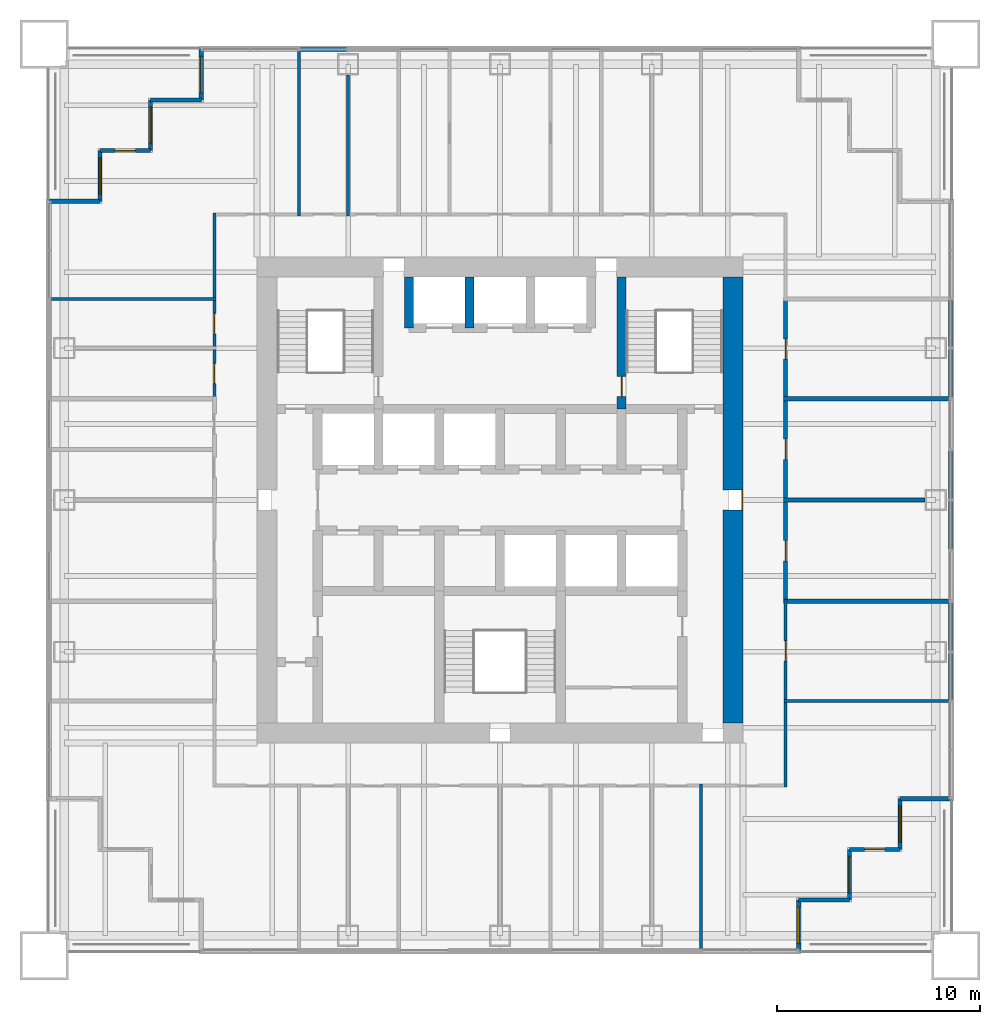
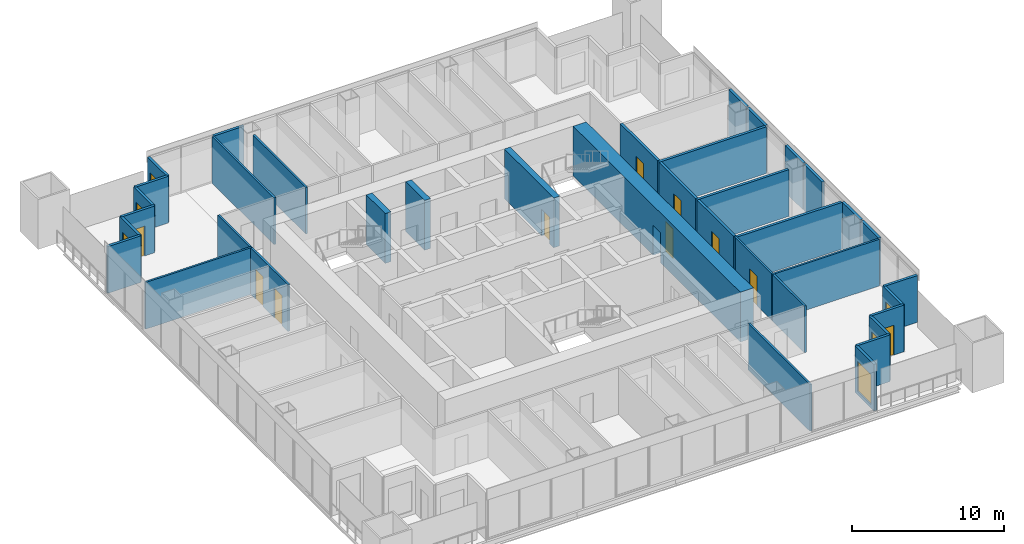
# One storey, part 10 of 14: 34 walls, 10 doors, 6 windows, 16 openings.
"""IFC4 building model written with IfcOpenShell, lengths in metres."""

from ifc_helpers import new_model, si_unit, direction, frame, frame_2d, origin, place, context, subcontext, project, spatial, rectangle, extrude, material, layer, layer_set, type_object, element, fill, save


model = new_model("IFC4")

# Units and contexts
model_context = context("Model", 3, precision=1e-05, world=origin(), true_north=direction((0.0, 1.0)))
body_context = subcontext(model_context, "Body", "Model", "MODEL_VIEW")
ifc_project = project(units=[si_unit("LENGTHUNIT", "METRE"), si_unit("AREAUNIT", "SQUARE_METRE"), si_unit("VOLUMEUNIT", "CUBIC_METRE"), si_unit("PLANEANGLEUNIT", "RADIAN"), si_unit("MASSUNIT", "GRAM", prefix="KILO")], contexts=[model_context])

# Site, building, storey
site_placement = place(None, origin())
site = spatial("IfcSite", under=ifc_project, at=site_placement, CompositionType="ELEMENT")
building_placement = place(site_placement, origin())
building = spatial("IfcBuilding", under=site, at=building_placement, Name="Tarangal Relay Tower", CompositionType="ELEMENT")
storey_placement = place(building_placement, frame((0.0, 0.0, 249.89990234375)))
storey = spatial("IfcBuildingStorey", under=building, at=storey_placement, Name="L54", CompositionType="ELEMENT", Elevation=249.89990234375)

# Walls
ifc_material_1 = material(Name="Two layers gypsum board each side on twin steel studs, mineral wool", Category="steel")
ifc_layer_1 = layer(ifc_material_1, 0.199951171875)
ifc_layer_set_1 = layer_set([ifc_layer_1], Name="Acoustic partition 200")
wall_type_1 = type_object("IfcWallType", Name="Acoustic partition 200", PredefinedType="PARTITIONING", material=ifc_layer_set_1)
wall_1_placement = place(storey_placement, frame((14.0, -5.0, 0.0), z_axis=(0.0, 0.0, 1.0), x_axis=(1.0, 0.0, 0.0)))
element("IfcWall", 1, at=wall_1_placement, inside=storey, type_object=wall_type_1, Name="Partition PT2 L54", PredefinedType="PARTITIONING", context=body_context, shape_type="SweptSolid", body=[
    extrude(rectangle(XDim=8.14990234375, YDim=0.199951171875, at=frame_2d((4.074951171875, 0.0))), origin(), (0.0, 0.0, 1.0), 3.75),
])
wall_2_placement = place(storey_placement, frame((14.0, 0.0, 0.0), z_axis=(0.0, 0.0, 1.0), x_axis=(1.0, 0.0, 0.0)))
element("IfcWall", 2, at=wall_2_placement, inside=storey, type_object=wall_type_1, Name="Partition PT2 L54", PredefinedType="PARTITIONING", context=body_context, shape_type="SweptSolid", body=[
    extrude(rectangle(XDim=6.989990234375, YDim=0.199951171875, at=frame_2d((3.4951171875, 0.0))), origin(), (0.0, 0.0, 1.0), 3.75),
])
wall_3_placement = place(storey_placement, frame((14.0, 5.0, 0.0), z_axis=(0.0, 0.0, 1.0), x_axis=(1.0, 0.0, 0.0)))
element("IfcWall", 3, at=wall_3_placement, inside=storey, type_object=wall_type_1, Name="Partition PT2 L54", PredefinedType="PARTITIONING", context=body_context, shape_type="SweptSolid", body=[
    extrude(rectangle(XDim=8.14990234375, YDim=0.199951171875, at=frame_2d((4.074951171875, 0.0))), origin(), (0.0, 0.0, 1.0), 3.75),
])

# Wall, openings, doors
wall_4_placement = place(storey_placement, frame((14.10009765625, -5.10009765625, 0.0), z_axis=(0.0, 0.0, 1.0), x_axis=(0.0, 1.0, 0.0)))
wall_4 = element("IfcWall", 4, at=wall_4_placement, inside=storey, type_object=wall_type_1, Name="Partition PT2 L54", PredefinedType="PARTITIONING", context=body_context, shape_type="SweptSolid", body=[
    extrude(rectangle(XDim=15.1171875, YDim=0.199951171875, at=frame_2d((7.55859375, 0.0))), origin(), (0.0, 0.0, 1.0), 3.75),
])
opening_1_placement = place(wall_4_placement, frame((12.05859375, 0.0, 0.0)))
opening_1 = element("IfcOpeningElement", 5, at=opening_1_placement, cuts=wall_4, Name="Opening SD1", PredefinedType="OPENING", context=body_context, shape_type="SweptSolid", body=[
    extrude(rectangle(XDim=1.0, YDim=2.39990234375, at=frame_2d((0.5, 1.199951171875))), frame((0.0, 0.10986328125, 0.0), z_axis=(0.0, -1.0, 0.0), x_axis=(1.0, 0.0, 0.0)), (0.0, 0.0, 1.0), 0.219970703125),
])
opening_2_placement = place(wall_4_placement, frame((7.10009765625, 0.0, 0.0)))
opening_2 = element("IfcOpeningElement", 6, at=opening_2_placement, cuts=wall_4, Name="Opening SD1", PredefinedType="OPENING", context=body_context, shape_type="SweptSolid", body=[
    extrude(rectangle(XDim=1.0, YDim=2.39990234375, at=frame_2d((0.5, 1.199951171875))), frame((0.0, 0.10986328125, 0.0), z_axis=(0.0, -1.0, 0.0), x_axis=(1.0, 0.0, 0.0)), (0.0, 0.0, 1.0), 0.219970703125),
])
opening_3_placement = place(wall_4_placement, frame((2.10009765625, 0.0, 0.0)))
opening_3 = element("IfcOpeningElement", 7, at=opening_3_placement, cuts=wall_4, Name="Opening SD1", PredefinedType="OPENING", context=body_context, shape_type="SweptSolid", body=[
    extrude(rectangle(XDim=1.0, YDim=2.39990234375, at=frame_2d((0.5, 1.199951171875))), frame((0.0, 0.10986328125, 0.0), z_axis=(0.0, -1.0, 0.0), x_axis=(1.0, 0.0, 0.0)), (0.0, 0.0, 1.0), 0.219970703125),
])
ifc_material_2 = material(Name="Steel door with hardwood frame", Category="steel")
door_type_1 = type_object("IfcDoorType", Name="Suite entrance door 1000 x 2400", OperationType="SINGLE_SWING_RIGHT", PredefinedType="DOOR", material=ifc_material_2)
door_1_placement = place(opening_1_placement, origin())
door_1 = element("IfcDoor", 8, at=door_1_placement, inside=storey, type_object=door_type_1, Name="Door SD1 to boardroom L54-09", OperationType="SINGLE_SWING_RIGHT", OverallHeight=2.39990234375, OverallWidth=1.0, PredefinedType="DOOR", context=body_context, shape_type="SweptSolid", body=[
    extrude(rectangle(XDim=1.0, YDim=2.39990234375, at=frame_2d((0.5, 1.199951171875))), frame((0.0, 0.02490234375, 0.0), z_axis=(0.0, -1.0, 0.0), x_axis=(1.0, 0.0, 0.0)), (0.0, 0.0, 1.0), 0.050048828125),
])
fill(opening_1, door_1)
door_2_placement = place(opening_2_placement, origin())
door_2 = element("IfcDoor", 9, at=door_2_placement, inside=storey, type_object=door_type_1, Name="Door SD1 to meeting room L54-10", OperationType="SINGLE_SWING_RIGHT", OverallHeight=2.39990234375, OverallWidth=1.0, PredefinedType="DOOR", context=body_context, shape_type="SweptSolid", body=[
    extrude(rectangle(XDim=1.0, YDim=2.39990234375, at=frame_2d((0.5, 1.199951171875))), frame((0.0, 0.02490234375, 0.0), z_axis=(0.0, -1.0, 0.0), x_axis=(1.0, 0.0, 0.0)), (0.0, 0.0, 1.0), 0.050048828125),
])
fill(opening_2, door_2)
door_3_placement = place(opening_3_placement, origin())
door_3 = element("IfcDoor", 10, at=door_3_placement, inside=storey, type_object=door_type_1, Name="Door SD1 to meeting room L54-11", OperationType="SINGLE_SWING_RIGHT", OverallHeight=2.39990234375, OverallWidth=1.0, PredefinedType="DOOR", context=body_context, shape_type="SweptSolid", body=[
    extrude(rectangle(XDim=1.0, YDim=2.39990234375, at=frame_2d((0.5, 1.199951171875))), frame((0.0, 0.02490234375, 0.0), z_axis=(0.0, -1.0, 0.0), x_axis=(1.0, 0.0, 0.0)), (0.0, 0.0, 1.0), 0.050048828125),
])
fill(opening_3, door_3)

# Wall, opening, door
ifc_material_3 = material(Name="Concrete fc' 60 MPa", Category="concrete")
ifc_layer_2 = layer(ifc_material_3, 0.449951171875)
ifc_layer_set_2 = layer_set([ifc_layer_2], Name="Core inner wall 450")
wall_type_2 = type_object("IfcWallType", Name="Core inner wall 450", PredefinedType="SHEAR", material=ifc_layer_set_2)
wall_5_placement = place(storey_placement, frame((6.0, 4.5, 0.0), z_axis=(0.0, 0.0, 1.0), x_axis=(0.0, 1.0, 0.0)))
wall_5 = element("IfcWall", 11, at=wall_5_placement, inside=storey, type_object=wall_type_2, Name="Core wall X6 L54", PredefinedType="SHEAR", context=body_context, shape_type="SweptSolid", body=[
    extrude(rectangle(XDim=6.5, YDim=0.449951171875, at=frame_2d((3.25, 0.0))), origin(), (0.0, 0.0, 1.0), 4.0),
])
opening_4_placement = place(wall_5_placement, frame((0.60009765625, 0.0, 0.0)))
opening_4 = element("IfcOpeningElement", 12, at=opening_4_placement, cuts=wall_5, Name="Opening FD1", PredefinedType="OPENING", context=body_context, shape_type="SweptSolid", body=[
    extrude(rectangle(XDim=1.0, YDim=2.10009765625, at=frame_2d((0.5, 1.050048828125))), frame((0.0, 0.23486328125, 0.0), z_axis=(0.0, -1.0, 0.0), x_axis=(1.0, 0.0, 0.0)), (0.0, 0.0, 1.0), 0.469970703125),
])
door_type_2 = type_object("IfcDoorType", Name="Fire door 1000 x 2100", OperationType="SINGLE_SWING_LEFT", PredefinedType="DOOR", material=ifc_material_2)
door_4_placement = place(opening_4_placement, origin())
door_4 = element("IfcDoor", 13, at=door_4_placement, inside=storey, type_object=door_type_2, Name="Stair ST-B door from fire-fighting lobby L54", OperationType="SINGLE_SWING_LEFT", OverallHeight=2.10009765625, OverallWidth=1.0, PredefinedType="DOOR", context=body_context, shape_type="SweptSolid", body=[
    extrude(rectangle(XDim=1.0, YDim=2.10009765625, at=frame_2d((0.5, 1.050048828125))), frame((0.0, 0.02490234375, 0.0), z_axis=(0.0, -1.0, 0.0), x_axis=(1.0, 0.0, 0.0)), (0.0, 0.0, 1.0), 0.050048828125),
])
fill(opening_4, door_4)

# Walls
for number, where, z_axis, x_axis, name in (
    (14, (-4.5, 8.5, 0.0), (0.0, 0.0, 1.0), (0.0, 1.0, 0.0), "Core wall XM45 L54"),
    (15, (-1.5, 8.5, 0.0), (0.0, 0.0, 1.0), (0.0, 1.0, 0.0), "Core wall XM15 L54"),
):
    element("IfcWall", number, at=place(storey_placement, frame(where, z_axis=z_axis, x_axis=x_axis)), inside=storey, type_object=wall_type_2, Name=name, PredefinedType="SHEAR", context=body_context, shape_type="SweptSolid", body=[
        extrude(rectangle(XDim=2.5, YDim=0.449951171875, at=frame_2d((1.25, 0.0))), origin(), (0.0, 0.0, 1.0), 4.0),
    ])

# Wall, opening, door
ifc_layer_3 = layer(ifc_material_3, 1.0)
ifc_layer_set_3 = layer_set([ifc_layer_3], Name="Core wall 1000")
wall_type_3 = type_object("IfcWallType", Name="Core wall 1000", PredefinedType="SHEAR", material=ifc_layer_set_3)
wall_6_placement = place(storey_placement, frame((11.5, 11.0, 0.0), z_axis=(0.0, 0.0, 1.0), x_axis=(0.0, -1.0, 0.0)))
wall_6 = element("IfcWall", 16, at=wall_6_placement, inside=storey, type_object=wall_type_3, Name="Core wall E L54", PredefinedType="SHEAR", context=body_context, shape_type="SweptSolid", body=[
    extrude(rectangle(XDim=22.0, YDim=1.0, at=frame_2d((11.0, 0.0))), origin(), (0.0, 0.0, 1.0), 4.0),
])
opening_5_placement = place(wall_6_placement, frame((10.5, 0.0, 0.0)))
opening_5 = element("IfcOpeningElement", 17, at=opening_5_placement, cuts=wall_6, Name="Opening FD3", PredefinedType="OPENING", context=body_context, shape_type="SweptSolid", body=[
    extrude(rectangle(XDim=1.0, YDim=2.39990234375, at=frame_2d((0.5, 1.199951171875))), frame((0.0, 0.510009765625, 0.0), z_axis=(0.0, -1.0, 0.0), x_axis=(1.0, 0.0, 0.0)), (0.0, 0.0, 1.0), 1.02001953125),
])
door_type_3 = type_object("IfcDoorType", Name="Fire door 1000 x 2400 core entry", OperationType="SINGLE_SWING_RIGHT", PredefinedType="DOOR", material=ifc_material_2)
door_5_placement = place(opening_5_placement, origin())
door_5 = element("IfcDoor", 18, at=door_5_placement, inside=storey, type_object=door_type_3, Name="Core entry door east L54", OperationType="SINGLE_SWING_RIGHT", OverallHeight=2.39990234375, OverallWidth=1.0, PredefinedType="DOOR", context=body_context, shape_type="SweptSolid", body=[
    extrude(rectangle(XDim=1.0, YDim=2.39990234375, at=frame_2d((0.5, 1.199951171875))), frame((0.0, 0.48486328125, 0.0), z_axis=(0.0, -1.0, 0.0), x_axis=(1.0, 0.0, 0.0)), (0.0, 0.0, 1.0), 0.050048828125),
])
fill(opening_5, door_5)

# Wall
ifc_material_4 = material(Name="Black metal clad insulated wall", Category="steel")
ifc_layer_4 = layer(ifc_material_4, 0.199951171875)
ifc_layer_set_4 = layer_set([ifc_layer_4], Name="Corner wall metal clad 200")
wall_type_4 = type_object("IfcWallType", Name="Corner wall metal clad 200", PredefinedType="SOLIDWALL", material=ifc_layer_set_4)
wall_7_placement = place(storey_placement, frame((22.25, -14.75, 0.0), z_axis=(0.0, 0.0, 1.0), x_axis=(-1.0, 0.0, 0.0)))
element("IfcWall", 19, at=wall_7_placement, inside=storey, type_object=wall_type_4, Name="Facade wall E facade L54", PredefinedType="SOLIDWALL", context=body_context, shape_type="SweptSolid", body=[
    extrude(rectangle(XDim=2.5, YDim=0.199951171875, at=frame_2d((1.25, 0.0))), origin(), (0.0, 0.0, 1.0), 3.75),
])

# Wall, opening, window
wall_8_placement = place(storey_placement, frame((19.75, -14.75, 0.0), z_axis=(0.0, 0.0, 1.0), x_axis=(0.0, -1.0, 0.0)))
wall_8 = element("IfcWall", 20, at=wall_8_placement, inside=storey, type_object=wall_type_4, Name="Facade wall E facade L54", PredefinedType="SOLIDWALL", context=body_context, shape_type="SweptSolid", body=[
    extrude(rectangle(XDim=2.5, YDim=0.199951171875, at=frame_2d((1.25, 0.0))), origin(), (0.0, 0.0, 1.0), 3.75),
])
opening_6_placement = place(wall_8_placement, frame((0.35009765625, 0.0, 0.300048828125)))
opening_6 = element("IfcOpeningElement", 21, at=opening_6_placement, cuts=wall_8, Name="Opening WN2", PredefinedType="OPENING", context=body_context, shape_type="SweptSolid", body=[
    extrude(rectangle(XDim=1.800048828125, YDim=2.39990234375, at=frame_2d((0.89990234375, 1.199951171875))), frame((0.0, 0.10986328125, 0.0), z_axis=(0.0, -1.0, 0.0), x_axis=(1.0, 0.0, 0.0)), (0.0, 0.0, 1.0), 0.219970703125),
])
ifc_material_5 = material(Name="Dark tinted double glazing in black aluminium frame", Category="aluminium")
window_type = type_object("IfcWindowType", Name="Corner window 1800 x 2400", PartitioningType="SINGLE_PANEL", PredefinedType="WINDOW", material=ifc_material_5)
window_1_placement = place(opening_6_placement, origin())
window_1 = element("IfcWindow", 22, at=window_1_placement, inside=storey, type_object=window_type, Name="Corner window WN2 E facade L54", OverallHeight=2.39990234375, OverallWidth=1.800048828125, PartitioningType="SINGLE_PANEL", PredefinedType="WINDOW", context=body_context, shape_type="SweptSolid", body=[
    extrude(rectangle(XDim=1.800048828125, YDim=2.39990234375, at=frame_2d((0.89990234375, 1.199951171875))), frame((0.0, 0.030029296875, 0.0), z_axis=(0.0, -1.0, 0.0), x_axis=(1.0, 0.0, 0.0)), (0.0, 0.0, 1.0), 0.06005859375),
])
fill(opening_6, window_1)

# Wall, opening, door
wall_9_placement = place(storey_placement, frame((19.75, -17.25, 0.0), z_axis=(0.0, 0.0, 1.0), x_axis=(-1.0, 0.0, 0.0)))
wall_9 = element("IfcWall", 23, at=wall_9_placement, inside=storey, type_object=wall_type_4, Name="Facade wall E facade L54", PredefinedType="SOLIDWALL", context=body_context, shape_type="SweptSolid", body=[
    extrude(rectangle(XDim=2.5, YDim=0.199951171875, at=frame_2d((1.25, 0.0))), origin(), (0.0, 0.0, 1.0), 3.75),
])
opening_7_placement = place(wall_9_placement, frame((0.75, 0.0, 0.0)))
opening_7 = element("IfcOpeningElement", 24, at=opening_7_placement, cuts=wall_9, Name="Opening TD1", PredefinedType="OPENING", context=body_context, shape_type="SweptSolid", body=[
    extrude(rectangle(XDim=1.0, YDim=2.39990234375, at=frame_2d((0.5, 1.199951171875))), frame((0.0, 0.10986328125, 0.0), z_axis=(0.0, -1.0, 0.0), x_axis=(1.0, 0.0, 0.0)), (0.0, 0.0, 1.0), 0.219970703125),
])
ifc_material_6 = material(Name="Aluminium glazed door", Category="aluminium")
door_type_4 = type_object("IfcDoorType", Name="Terrace door 1000 x 2400", OperationType="SINGLE_SWING_RIGHT", PredefinedType="DOOR", material=ifc_material_6)
door_6_placement = place(opening_7_placement, origin())
door_6 = element("IfcDoor", 25, at=door_6_placement, inside=storey, type_object=door_type_4, Name="Terrace door TD1 SE L54", OperationType="SINGLE_SWING_RIGHT", OverallHeight=2.39990234375, OverallWidth=1.0, PredefinedType="DOOR", context=body_context, shape_type="SweptSolid", body=[
    extrude(rectangle(XDim=1.0, YDim=2.39990234375, at=frame_2d((0.5, 1.199951171875))), frame((0.0, 0.02490234375, 0.0), z_axis=(0.0, -1.0, 0.0), x_axis=(1.0, 0.0, 0.0)), (0.0, 0.0, 1.0), 0.050048828125),
])
fill(opening_7, door_6)

# Wall, opening, window
wall_10_placement = place(storey_placement, frame((17.25, -17.25, 0.0), z_axis=(0.0, 0.0, 1.0), x_axis=(0.0, -1.0, 0.0)))
wall_10 = element("IfcWall", 26, at=wall_10_placement, inside=storey, type_object=wall_type_4, Name="Facade wall E facade L54", PredefinedType="SOLIDWALL", context=body_context, shape_type="SweptSolid", body=[
    extrude(rectangle(XDim=2.5, YDim=0.199951171875, at=frame_2d((1.25, 0.0))), origin(), (0.0, 0.0, 1.0), 3.75),
])
opening_8_placement = place(wall_10_placement, frame((0.35009765625, 0.0, 0.300048828125)))
opening_8 = element("IfcOpeningElement", 27, at=opening_8_placement, cuts=wall_10, Name="Opening WN2", PredefinedType="OPENING", context=body_context, shape_type="SweptSolid", body=[
    extrude(rectangle(XDim=1.800048828125, YDim=2.39990234375, at=frame_2d((0.89990234375, 1.199951171875))), frame((0.0, 0.10986328125, 0.0), z_axis=(0.0, -1.0, 0.0), x_axis=(1.0, 0.0, 0.0)), (0.0, 0.0, 1.0), 0.219970703125),
])
window_2_placement = place(opening_8_placement, origin())
window_2 = element("IfcWindow", 28, at=window_2_placement, inside=storey, type_object=window_type, Name="Corner window WN2 E facade L54", OverallHeight=2.39990234375, OverallWidth=1.800048828125, PartitioningType="SINGLE_PANEL", PredefinedType="WINDOW", context=body_context, shape_type="SweptSolid", body=[
    extrude(rectangle(XDim=1.800048828125, YDim=2.39990234375, at=frame_2d((0.89990234375, 1.199951171875))), frame((0.0, 0.030029296875, 0.0), z_axis=(0.0, -1.0, 0.0), x_axis=(1.0, 0.0, 0.0)), (0.0, 0.0, 1.0), 0.06005859375),
])
fill(opening_8, window_2)

# Wall
wall_11_placement = place(storey_placement, frame((17.25, -19.75, 0.0), z_axis=(0.0, 0.0, 1.0), x_axis=(-1.0, 0.0, 0.0)))
element("IfcWall", 29, at=wall_11_placement, inside=storey, type_object=wall_type_4, Name="Facade wall E facade L54", PredefinedType="SOLIDWALL", context=body_context, shape_type="SweptSolid", body=[
    extrude(rectangle(XDim=2.5, YDim=0.199951171875, at=frame_2d((1.25, 0.0))), origin(), (0.0, 0.0, 1.0), 3.75),
])

# Wall, opening, window
wall_12_placement = place(storey_placement, frame((14.75, -19.75, 0.0), z_axis=(0.0, 0.0, 1.0), x_axis=(0.0, -1.0, 0.0)))
wall_12 = element("IfcWall", 30, at=wall_12_placement, inside=storey, type_object=wall_type_4, Name="Facade wall E facade L54", PredefinedType="SOLIDWALL", context=body_context, shape_type="SweptSolid", body=[
    extrude(rectangle(XDim=2.5, YDim=0.199951171875, at=frame_2d((1.25, 0.0))), origin(), (0.0, 0.0, 1.0), 3.75),
])
opening_9_placement = place(wall_12_placement, frame((0.35009765625, 0.0, 0.300048828125)))
opening_9 = element("IfcOpeningElement", 31, at=opening_9_placement, cuts=wall_12, Name="Opening WN2", PredefinedType="OPENING", context=body_context, shape_type="SweptSolid", body=[
    extrude(rectangle(XDim=1.800048828125, YDim=2.39990234375, at=frame_2d((0.89990234375, 1.199951171875))), frame((0.0, 0.10986328125, 0.0), z_axis=(0.0, -1.0, 0.0), x_axis=(1.0, 0.0, 0.0)), (0.0, 0.0, 1.0), 0.219970703125),
])
window_3_placement = place(opening_9_placement, origin())
window_3 = element("IfcWindow", 32, at=window_3_placement, inside=storey, type_object=window_type, Name="Corner window WN2 E facade L54", OverallHeight=2.39990234375, OverallWidth=1.800048828125, PartitioningType="SINGLE_PANEL", PredefinedType="WINDOW", context=body_context, shape_type="SweptSolid", body=[
    extrude(rectangle(XDim=1.800048828125, YDim=2.39990234375, at=frame_2d((0.89990234375, 1.199951171875))), frame((0.0, 0.030029296875, 0.0), z_axis=(0.0, -1.0, 0.0), x_axis=(1.0, 0.0, 0.0)), (0.0, 0.0, 1.0), 0.06005859375),
])
fill(opening_9, window_3)

# Wall
wall_13_placement = place(storey_placement, frame((-22.25, 14.75, 0.0), z_axis=(0.0, 0.0, 1.0), x_axis=(1.0, 0.0, 0.0)))
element("IfcWall", 33, at=wall_13_placement, inside=storey, type_object=wall_type_4, Name="Facade wall W facade L54", PredefinedType="SOLIDWALL", context=body_context, shape_type="SweptSolid", body=[
    extrude(rectangle(XDim=2.5, YDim=0.199951171875, at=frame_2d((1.25, 0.0))), origin(), (0.0, 0.0, 1.0), 3.75),
])

# Wall, opening, window
wall_14_placement = place(storey_placement, frame((-19.75, 14.75, 0.0), z_axis=(0.0, 0.0, 1.0), x_axis=(0.0, 1.0, 0.0)))
wall_14 = element("IfcWall", 34, at=wall_14_placement, inside=storey, type_object=wall_type_4, Name="Facade wall W facade L54", PredefinedType="SOLIDWALL", context=body_context, shape_type="SweptSolid", body=[
    extrude(rectangle(XDim=2.5, YDim=0.199951171875, at=frame_2d((1.25, 0.0))), origin(), (0.0, 0.0, 1.0), 3.75),
])
opening_10_placement = place(wall_14_placement, frame((0.35009765625, 0.0, 0.300048828125)))
opening_10 = element("IfcOpeningElement", 35, at=opening_10_placement, cuts=wall_14, Name="Opening WN2", PredefinedType="OPENING", context=body_context, shape_type="SweptSolid", body=[
    extrude(rectangle(XDim=1.800048828125, YDim=2.39990234375, at=frame_2d((0.89990234375, 1.199951171875))), frame((0.0, 0.10986328125, 0.0), z_axis=(0.0, -1.0, 0.0), x_axis=(1.0, 0.0, 0.0)), (0.0, 0.0, 1.0), 0.219970703125),
])
window_4_placement = place(opening_10_placement, origin())
window_4 = element("IfcWindow", 36, at=window_4_placement, inside=storey, type_object=window_type, Name="Corner window WN2 W facade L54", OverallHeight=2.39990234375, OverallWidth=1.800048828125, PartitioningType="SINGLE_PANEL", PredefinedType="WINDOW", context=body_context, shape_type="SweptSolid", body=[
    extrude(rectangle(XDim=1.800048828125, YDim=2.39990234375, at=frame_2d((0.89990234375, 1.199951171875))), frame((0.0, 0.030029296875, 0.0), z_axis=(0.0, -1.0, 0.0), x_axis=(1.0, 0.0, 0.0)), (0.0, 0.0, 1.0), 0.06005859375),
])
fill(opening_10, window_4)

# Wall, opening, door
wall_15_placement = place(storey_placement, frame((-19.75, 17.25, 0.0), z_axis=(0.0, 0.0, 1.0), x_axis=(1.0, 0.0, 0.0)))
wall_15 = element("IfcWall", 37, at=wall_15_placement, inside=storey, type_object=wall_type_4, Name="Facade wall W facade L54", PredefinedType="SOLIDWALL", context=body_context, shape_type="SweptSolid", body=[
    extrude(rectangle(XDim=2.5, YDim=0.199951171875, at=frame_2d((1.25, 0.0))), origin(), (0.0, 0.0, 1.0), 3.75),
])
opening_11_placement = place(wall_15_placement, frame((0.75, 0.0, 0.0)))
opening_11 = element("IfcOpeningElement", 38, at=opening_11_placement, cuts=wall_15, Name="Opening TD1", PredefinedType="OPENING", context=body_context, shape_type="SweptSolid", body=[
    extrude(rectangle(XDim=1.0, YDim=2.39990234375, at=frame_2d((0.5, 1.199951171875))), frame((0.0, 0.10986328125, 0.0), z_axis=(0.0, -1.0, 0.0), x_axis=(1.0, 0.0, 0.0)), (0.0, 0.0, 1.0), 0.219970703125),
])
door_7_placement = place(opening_11_placement, origin())
door_7 = element("IfcDoor", 39, at=door_7_placement, inside=storey, type_object=door_type_4, Name="Terrace door TD1 NW L54", OperationType="SINGLE_SWING_RIGHT", OverallHeight=2.39990234375, OverallWidth=1.0, PredefinedType="DOOR", context=body_context, shape_type="SweptSolid", body=[
    extrude(rectangle(XDim=1.0, YDim=2.39990234375, at=frame_2d((0.5, 1.199951171875))), frame((0.0, 0.02490234375, 0.0), z_axis=(0.0, -1.0, 0.0), x_axis=(1.0, 0.0, 0.0)), (0.0, 0.0, 1.0), 0.050048828125),
])
fill(opening_11, door_7)

# Wall, opening, window
wall_16_placement = place(storey_placement, frame((-17.25, 17.25, 0.0), z_axis=(0.0, 0.0, 1.0), x_axis=(0.0, 1.0, 0.0)))
wall_16 = element("IfcWall", 40, at=wall_16_placement, inside=storey, type_object=wall_type_4, Name="Facade wall W facade L54", PredefinedType="SOLIDWALL", context=body_context, shape_type="SweptSolid", body=[
    extrude(rectangle(XDim=2.5, YDim=0.199951171875, at=frame_2d((1.25, 0.0))), origin(), (0.0, 0.0, 1.0), 3.75),
])
opening_12_placement = place(wall_16_placement, frame((0.35009765625, 0.0, 0.300048828125)))
opening_12 = element("IfcOpeningElement", 41, at=opening_12_placement, cuts=wall_16, Name="Opening WN2", PredefinedType="OPENING", context=body_context, shape_type="SweptSolid", body=[
    extrude(rectangle(XDim=1.800048828125, YDim=2.39990234375, at=frame_2d((0.89990234375, 1.199951171875))), frame((0.0, 0.10986328125, 0.0), z_axis=(0.0, -1.0, 0.0), x_axis=(1.0, 0.0, 0.0)), (0.0, 0.0, 1.0), 0.219970703125),
])
window_5_placement = place(opening_12_placement, origin())
window_5 = element("IfcWindow", 42, at=window_5_placement, inside=storey, type_object=window_type, Name="Corner window WN2 W facade L54", OverallHeight=2.39990234375, OverallWidth=1.800048828125, PartitioningType="SINGLE_PANEL", PredefinedType="WINDOW", context=body_context, shape_type="SweptSolid", body=[
    extrude(rectangle(XDim=1.800048828125, YDim=2.39990234375, at=frame_2d((0.89990234375, 1.199951171875))), frame((0.0, 0.030029296875, 0.0), z_axis=(0.0, -1.0, 0.0), x_axis=(1.0, 0.0, 0.0)), (0.0, 0.0, 1.0), 0.06005859375),
])
fill(opening_12, window_5)

# Wall
wall_17_placement = place(storey_placement, frame((-17.25, 19.75, 0.0), z_axis=(0.0, 0.0, 1.0), x_axis=(1.0, 0.0, 0.0)))
element("IfcWall", 43, at=wall_17_placement, inside=storey, type_object=wall_type_4, Name="Facade wall W facade L54", PredefinedType="SOLIDWALL", context=body_context, shape_type="SweptSolid", body=[
    extrude(rectangle(XDim=2.5, YDim=0.199951171875, at=frame_2d((1.25, 0.0))), origin(), (0.0, 0.0, 1.0), 3.75),
])

# Wall, opening, window
wall_18_placement = place(storey_placement, frame((-14.75, 19.75, 0.0), z_axis=(0.0, 0.0, 1.0), x_axis=(0.0, 1.0, 0.0)))
wall_18 = element("IfcWall", 44, at=wall_18_placement, inside=storey, type_object=wall_type_4, Name="Facade wall W facade L54", PredefinedType="SOLIDWALL", context=body_context, shape_type="SweptSolid", body=[
    extrude(rectangle(XDim=2.5, YDim=0.199951171875, at=frame_2d((1.25, 0.0))), origin(), (0.0, 0.0, 1.0), 3.75),
])
opening_13_placement = place(wall_18_placement, frame((0.35009765625, 0.0, 0.300048828125)))
opening_13 = element("IfcOpeningElement", 45, at=opening_13_placement, cuts=wall_18, Name="Opening WN2", PredefinedType="OPENING", context=body_context, shape_type="SweptSolid", body=[
    extrude(rectangle(XDim=1.800048828125, YDim=2.39990234375, at=frame_2d((0.89990234375, 1.199951171875))), frame((0.0, 0.10986328125, 0.0), z_axis=(0.0, -1.0, 0.0), x_axis=(1.0, 0.0, 0.0)), (0.0, 0.0, 1.0), 0.219970703125),
])
window_6_placement = place(opening_13_placement, origin())
window_6 = element("IfcWindow", 46, at=window_6_placement, inside=storey, type_object=window_type, Name="Corner window WN2 W facade L54", OverallHeight=2.39990234375, OverallWidth=1.800048828125, PartitioningType="SINGLE_PANEL", PredefinedType="WINDOW", context=body_context, shape_type="SweptSolid", body=[
    extrude(rectangle(XDim=1.800048828125, YDim=2.39990234375, at=frame_2d((0.89990234375, 1.199951171875))), frame((0.0, 0.030029296875, 0.0), z_axis=(0.0, -1.0, 0.0), x_axis=(1.0, 0.0, 0.0)), (0.0, 0.0, 1.0), 0.06005859375),
])
fill(opening_13, window_6)

# Walls
ifc_layer_5 = layer(ifc_material_4, 0.199951171875)
ifc_layer_set_5 = layer_set([ifc_layer_5], Name="Facade infill wall metal clad 200")
wall_type_5 = type_object("IfcWallType", Name="Facade infill wall metal clad 200", PredefinedType="SOLIDWALL", material=ifc_layer_set_5)
for number, where, z_axis, x_axis, name in (
    (47, (-9.851806640625, 22.25, 0.0), (0.0, 0.0, 1.0), (1.0, 0.0, 0.0), "Facade infill wall N facade L54 1.1"),
    (48, (22.25, 9.851806640625, 0.0), (0.0, 0.0, 1.0), (0.0, -1.0, 0.0), "Facade infill wall E facade L54 1.1"),
):
    element("IfcWall", number, at=place(storey_placement, frame(where, z_axis=z_axis, x_axis=x_axis)), inside=storey, type_object=wall_type_5, Name=name, PredefinedType="SOLIDWALL", context=body_context, shape_type="SweptSolid", body=[
        extrude(rectangle(XDim=2.286865234375, YDim=0.199951171875, at=frame_2d((1.1435546875, 0.0))), origin(), (0.0, 0.0, 1.0), 3.75),
    ])
for number, where, z_axis, x_axis, name in (
    (49, (22.25, 7.43505859375, 0.0), (0.0, 0.0, 1.0), (0.0, -1.0, 0.0), "Facade infill wall E facade L54 1.1"),
    (50, (22.25, 2.43505859375, 0.0), (0.0, 0.0, 1.0), (0.0, -1.0, 0.0), "Facade infill wall E facade L54 1.1"),
    (51, (22.25, -0.06494140625, 0.0), (0.0, 0.0, 1.0), (0.0, -1.0, 0.0), "Facade infill wall E facade L54 1.1"),
    (52, (22.25, -5.06494140625, 0.0), (0.0, 0.0, 1.0), (0.0, -1.0, 0.0), "Facade infill wall E facade L54 1.1"),
):
    element("IfcWall", number, at=place(storey_placement, frame(where, z_axis=z_axis, x_axis=x_axis)), inside=storey, type_object=wall_type_5, Name=name, PredefinedType="SOLIDWALL", context=body_context, shape_type="SweptSolid", body=[
        extrude(rectangle(XDim=2.3701171875, YDim=0.199951171875, at=frame_2d((1.18505859375, 0.0))), origin(), (0.0, 0.0, 1.0), 3.75),
    ])
wall_19_placement = place(storey_placement, frame((22.25, -7.56494140625, 0.0), z_axis=(0.0, 0.0, 1.0), x_axis=(0.0, -1.0, 0.0)))
element("IfcWall", 53, at=wall_19_placement, inside=storey, type_object=wall_type_5, Name="Facade infill wall E facade L54 1.1", PredefinedType="SOLIDWALL", context=body_context, shape_type="SweptSolid", body=[
    extrude(rectangle(XDim=2.286865234375, YDim=0.199951171875, at=frame_2d((1.1435546875, 0.0))), origin(), (0.0, 0.0, 1.0), 3.75),
])
ifc_material_7 = material(Name="Gypsum board on steel studs", Category="steel")
ifc_layer_6 = layer(ifc_material_7, 0.14990234375)
ifc_layer_set_6 = layer_set([ifc_layer_6], Name="Partition 150")
wall_type_6 = type_object("IfcWallType", Name="Partition 150", PredefinedType="PARTITIONING", material=ifc_layer_set_6)
for number, where, z_axis, x_axis, name in (
    (54, (14.02490234375, -9.9169921875, 0.0), (0.0, 0.0, 1.0), (1.0, 0.0, 0.0), "Partition PT1 L54"),
    (55, (-22.14990234375, 9.9169921875, 0.0), (0.0, 0.0, 1.0), (1.0, 0.0, 0.0), "Partition PT1 L54"),
):
    element("IfcWall", number, at=place(storey_placement, frame(where, z_axis=z_axis, x_axis=x_axis)), inside=storey, type_object=wall_type_6, Name=name, PredefinedType="PARTITIONING", context=body_context, shape_type="SweptSolid", body=[
        extrude(rectangle(XDim=8.125, YDim=0.14990234375, at=frame_2d((4.0625, 0.0))), origin(), (0.0, 0.0, 1.0), 3.75),
    ])

# Wall, openings, doors
wall_20_placement = place(storey_placement, frame((-14.10009765625, 4.925048828125, 0.0), z_axis=(0.0, 0.0, 1.0), x_axis=(0.0, 1.0, 0.0)))
wall_20 = element("IfcWall", 56, at=wall_20_placement, inside=storey, type_object=wall_type_6, Name="Partition PT1 L54", PredefinedType="PARTITIONING", context=body_context, shape_type="SweptSolid", body=[
    extrude(rectangle(XDim=9.25, YDim=0.14990234375, at=frame_2d((4.625, 0.0))), origin(), (0.0, 0.0, 1.0), 3.75),
])
opening_14_placement = place(wall_20_placement, frame((0.824951171875, 0.0, 0.0)))
opening_14 = element("IfcOpeningElement", 57, at=opening_14_placement, cuts=wall_20, Name="Opening SD1", PredefinedType="OPENING", context=body_context, shape_type="SweptSolid", body=[
    extrude(rectangle(XDim=1.0, YDim=2.39990234375, at=frame_2d((0.5, 1.199951171875))), frame((0.0, 0.0849609375, 0.0), z_axis=(0.0, -1.0, 0.0), x_axis=(1.0, 0.0, 0.0)), (0.0, 0.0, 1.0), 0.169921875),
])
opening_15_placement = place(wall_20_placement, frame((3.283447265625, 0.0, 0.0)))
opening_15 = element("IfcOpeningElement", 58, at=opening_15_placement, cuts=wall_20, Name="Opening SD1", PredefinedType="OPENING", context=body_context, shape_type="SweptSolid", body=[
    extrude(rectangle(XDim=1.0, YDim=2.39990234375, at=frame_2d((0.5, 1.199951171875))), frame((0.0, 0.0849609375, 0.0), z_axis=(0.0, -1.0, 0.0), x_axis=(1.0, 0.0, 0.0)), (0.0, 0.0, 1.0), 0.169921875),
])
door_8_placement = place(opening_14_placement, origin())
door_8 = element("IfcDoor", 59, at=door_8_placement, inside=storey, type_object=door_type_1, Name="Door SD1 to executive office L54-24", OperationType="SINGLE_SWING_RIGHT", OverallHeight=2.39990234375, OverallWidth=1.0, PredefinedType="DOOR", context=body_context, shape_type="SweptSolid", body=[
    extrude(rectangle(XDim=1.0, YDim=2.39990234375, at=frame_2d((0.5, 1.199951171875))), frame((0.0, 0.02490234375, 0.0), z_axis=(0.0, -1.0, 0.0), x_axis=(1.0, 0.0, 0.0)), (0.0, 0.0, 1.0), 0.050048828125),
])
fill(opening_14, door_8)
door_9_placement = place(opening_15_placement, origin())
door_9 = element("IfcDoor", 60, at=door_9_placement, inside=storey, type_object=door_type_1, Name="Door SD1 to executive office L54-25", OperationType="SINGLE_SWING_RIGHT", OverallHeight=2.39990234375, OverallWidth=1.0, PredefinedType="DOOR", context=body_context, shape_type="SweptSolid", body=[
    extrude(rectangle(XDim=1.0, YDim=2.39990234375, at=frame_2d((0.5, 1.199951171875))), frame((0.0, 0.02490234375, 0.0), z_axis=(0.0, -1.0, 0.0), x_axis=(1.0, 0.0, 0.0)), (0.0, 0.0, 1.0), 0.050048828125),
])
fill(opening_15, door_9)

# Walls
wall_21_placement = place(storey_placement, frame((-9.9169921875, 14.02490234375, 0.0), z_axis=(0.0, 0.0, 1.0), x_axis=(0.0, 1.0, 0.0)))
element("IfcWall", 61, at=wall_21_placement, inside=storey, type_object=wall_type_6, Name="Partition PT1 L54", PredefinedType="PARTITIONING", context=body_context, shape_type="SweptSolid", body=[
    extrude(rectangle(XDim=8.125, YDim=0.14990234375, at=frame_2d((4.0625, 0.0))), origin(), (0.0, 0.0, 1.0), 3.75),
])
wall_22_placement = place(storey_placement, frame((-7.5, 14.02490234375, 0.0), z_axis=(0.0, 0.0, 1.0), x_axis=(0.0, 1.0, 0.0)))
element("IfcWall", 62, at=wall_22_placement, inside=storey, type_object=wall_type_6, Name="Partition PT1 L54", PredefinedType="PARTITIONING", context=body_context, shape_type="SweptSolid", body=[
    extrude(rectangle(XDim=6.965087890625, YDim=0.14990234375, at=frame_2d((3.482421875, 0.0))), origin(), (0.0, 0.0, 1.0), 3.75),
])
wall_23_placement = place(storey_placement, frame((9.9169921875, -22.14990234375, 0.0), z_axis=(0.0, 0.0, 1.0), x_axis=(0.0, 1.0, 0.0)))
element("IfcWall", 63, at=wall_23_placement, inside=storey, type_object=wall_type_6, Name="Partition PT1 L54", PredefinedType="PARTITIONING", context=body_context, shape_type="SweptSolid", body=[
    extrude(rectangle(XDim=8.125, YDim=0.14990234375, at=frame_2d((4.0625, 0.0))), origin(), (0.0, 0.0, 1.0), 3.75),
])

# Wall, opening, door
wall_24_placement = place(storey_placement, frame((14.10009765625, -14.175048828125, 0.0), z_axis=(0.0, 0.0, 1.0), x_axis=(0.0, 1.0, 0.0)))
wall_24 = element("IfcWall", 64, at=wall_24_placement, inside=storey, type_object=wall_type_6, Name="Partition PT1 L54", PredefinedType="PARTITIONING", context=body_context, shape_type="SweptSolid", body=[
    extrude(rectangle(XDim=9.25, YDim=0.14990234375, at=frame_2d((4.625, 0.0))), origin(), (0.0, 0.0, 1.0), 3.75),
])
opening_16_placement = place(wall_24_placement, frame((6.216552734375, 0.0, 0.0)))
opening_16 = element("IfcOpeningElement", 65, at=opening_16_placement, cuts=wall_24, Name="Opening SD1", PredefinedType="OPENING", context=body_context, shape_type="SweptSolid", body=[
    extrude(rectangle(XDim=1.0, YDim=2.39990234375, at=frame_2d((0.5, 1.199951171875))), frame((0.0, 0.0849609375, 0.0), z_axis=(0.0, -1.0, 0.0), x_axis=(1.0, 0.0, 0.0)), (0.0, 0.0, 1.0), 0.169921875),
])
door_10_placement = place(opening_16_placement, origin())
door_10 = element("IfcDoor", 66, at=door_10_placement, inside=storey, type_object=door_type_1, Name="Door SD1 to tea pantry L54-12", OperationType="SINGLE_SWING_RIGHT", OverallHeight=2.39990234375, OverallWidth=1.0, PredefinedType="DOOR", context=body_context, shape_type="SweptSolid", body=[
    extrude(rectangle(XDim=1.0, YDim=2.39990234375, at=frame_2d((0.5, 1.199951171875))), frame((0.0, 0.02490234375, 0.0), z_axis=(0.0, -1.0, 0.0), x_axis=(1.0, 0.0, 0.0)), (0.0, 0.0, 1.0), 0.050048828125),
])
fill(opening_16, door_10)

save(model, "model.ifc")
